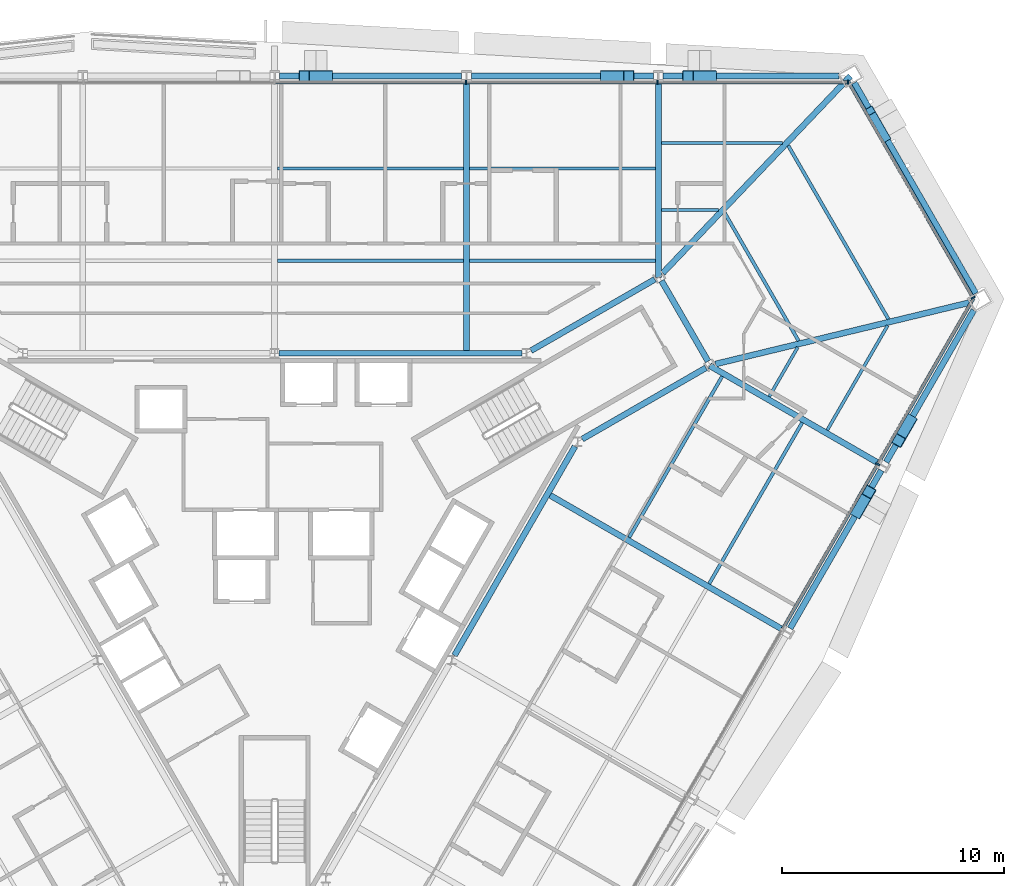
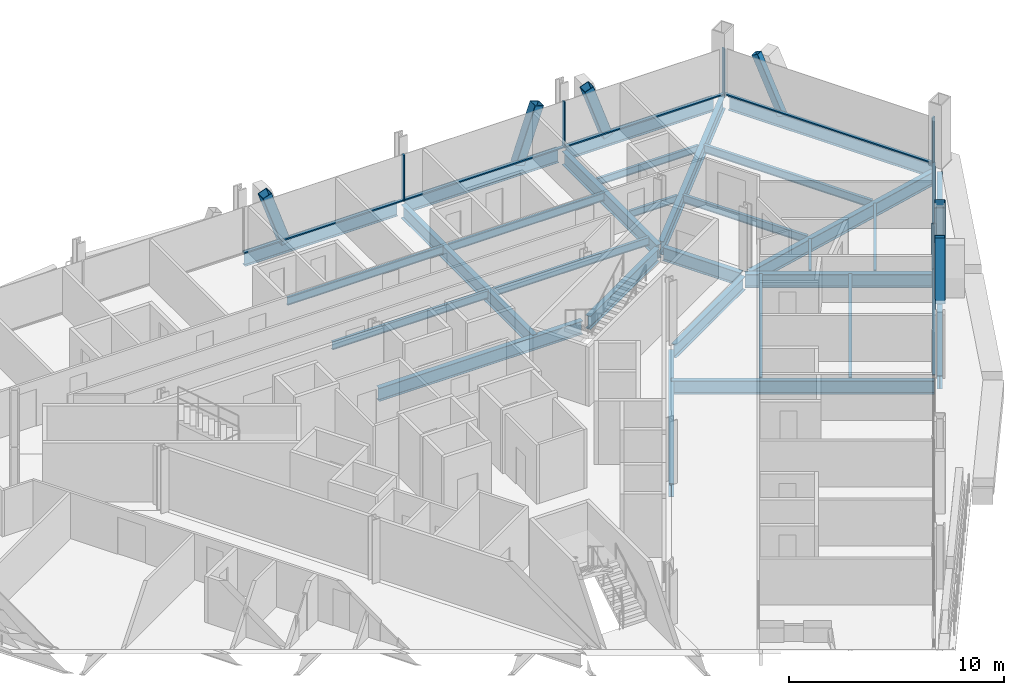
# One storey, part 9 of 18: 29 beams, 17 members, 3 elements without a shape of their own.
"""IFC4 building model written with IfcOpenShell, lengths in metres."""

import ifcopenshell
import ifcopenshell.guid

model = None  # the IFC model being written
_history = None  # IfcOwnerHistory: only IFC2X3 demands one
_inside = {}  # id of a spatial element -> (the spatial element, [elements in it])
_under = {}  # id of a project, library or spatial element -> (it, [spatial elements below it])
_declared = {}  # id of a project -> (the project, [libraries it declares])
_typed = {}  # id of a type object -> (the type object, [elements of that type])
_made_of = {}  # id of a material, layer set ... -> (it, [elements and type objects made of it])


def new_model(schema):
    """Start an empty IFC model of exactly this schema.

    Asked for "IFC4X3", IfcOpenShell would pick the latest addendum, in which some entities
    have other attributes; the version numbers below select the first issue.
    IFC2X3 requires an IfcOwnerHistory on every rooted entity: one is made here for all.
    """
    global model, _history
    if schema == "IFC4X3":
        model = ifcopenshell.file(schema_version=(4, 3, 0, 0))
    else:
        model = ifcopenshell.file(schema=schema)
    _inside.clear()
    _under.clear()
    _declared.clear()
    _typed.clear()
    _made_of.clear()
    _history = None
    if model.schema == "IFC2X3":
        org = make("IfcOrganization", Name="unknown")
        user = make(
            "IfcPersonAndOrganization",
            ThePerson=make("IfcPerson", FamilyName="unknown"),
            TheOrganization=org,
        )
        app = make(
            "IfcApplication",
            ApplicationDeveloper=org,
            Version="unknown",
            ApplicationFullName="unknown",
            ApplicationIdentifier="unknown",
        )
        _history = make(
            "IfcOwnerHistory",
            OwningUser=user,
            OwningApplication=app,
            ChangeAction="ADDED",
            CreationDate=0,
        )
    return model


def make(cls, **values):
    """One entity of the class cls with the attributes given. An attribute that is None is left unset."""
    return model.create_entity(
        cls, **{name: value for name, value in values.items() if value is not None}
    )


def rooted(cls, **values):
    """An entity with a GlobalId (a new one), such as an element, a storey or a relation."""
    return make(cls, GlobalId=ifcopenshell.guid.new(), OwnerHistory=_history, **values)


def si_unit(unit_type, name, prefix=None):
    """IfcSIUnit, for example si_unit("LENGTHUNIT", "METRE", prefix="MILLI")."""
    return make("IfcSIUnit", UnitType=unit_type, Prefix=prefix, Name=name)


def assignment(units):
    """IfcUnitAssignment: the units of a project."""
    return None if units is None else make("IfcUnitAssignment", Units=units)


def point(xyz):
    """IfcCartesianPoint."""
    return None if xyz is None else make("IfcCartesianPoint", Coordinates=xyz)


def direction(xyz):
    """IfcDirection."""
    return None if xyz is None else make("IfcDirection", DirectionRatios=xyz)


def frame(location, z_axis=None, x_axis=None):
    """IfcAxis2Placement3D, a coordinate frame: its origin and axes. An axis left out is left unset."""
    return make(
        "IfcAxis2Placement3D",
        Location=point(location),
        Axis=direction(z_axis),
        RefDirection=direction(x_axis),
    )


def frame_2d(location, x_axis=None):
    """IfcAxis2Placement2D, a coordinate frame in the plane: its origin and x axis."""
    return make(
        "IfcAxis2Placement2D", Location=point(location), RefDirection=direction(x_axis)
    )


def origin():
    """The frame at (0, 0, 0) with its axes left unset."""
    return frame((0.0, 0.0, 0.0))


def origin_2d():
    """The frame at (0, 0) in the plane with its x axis left unset."""
    return frame_2d((0.0, 0.0))


def place(relative_to, where):
    """IfcLocalPlacement: puts the frame where relative to a parent placement (None: the world)."""
    return make(
        "IfcLocalPlacement", PlacementRelTo=relative_to, RelativePlacement=where
    )


def context(
    kind, dimensions, precision=None, world=None, true_north=None, identifier=None
):
    """IfcGeometricRepresentationContext, for example the 3D "Model" context."""
    return make(
        "IfcGeometricRepresentationContext",
        ContextIdentifier=identifier,
        ContextType=kind,
        CoordinateSpaceDimension=dimensions,
        Precision=precision,
        WorldCoordinateSystem=world,
        TrueNorth=true_north,
    )


def subcontext(parent, identifier, kind, view, scale=None):
    """IfcGeometricRepresentationSubContext, for example "Body" below "Model"."""
    return make(
        "IfcGeometricRepresentationSubContext",
        ContextIdentifier=identifier,
        ContextType=kind,
        ParentContext=parent,
        TargetScale=scale,
        TargetView=view,
    )


def project(units=None, contexts=None):
    """IfcProject with its units and contexts."""
    return rooted(
        "IfcProject",
        Name="project",
        RepresentationContexts=contexts,
        UnitsInContext=assignment(units),
    )


def spatial(cls, under=None, at=None, **own):
    """A site, building, storey or space (cls), placed at a placement, below another one or the project."""
    s = rooted(cls, ObjectPlacement=at, **own)
    if under is not None:
        _under.setdefault(under.id(), (under, []))[1].append(s)
    return s


def profile(cls, at=None, kind="AREA", **sizes):
    """A parametric profile (cls). Its sizes go by their IFC names, for example OverallWidth=200.0."""
    return make(cls, ProfileType=kind, Position=at, **sizes)


def rectangle(**sizes):
    """IfcRectangleProfileDef."""
    return profile("IfcRectangleProfileDef", **sizes)


def hollow_rectangle(**sizes):
    """IfcRectangleHollowProfileDef."""
    return profile("IfcRectangleHollowProfileDef", **sizes)


def i_section(**sizes):
    """IfcIShapeProfileDef."""
    return profile("IfcIShapeProfileDef", **sizes)


def extrude(swept, where, along, depth):
    """IfcExtrudedAreaSolid: the profile swept, set in the frame where, extruded along a direction by depth."""
    return make(
        "IfcExtrudedAreaSolid",
        SweptArea=swept,
        Position=where,
        ExtrudedDirection=direction(along),
        Depth=depth,
    )


def shape(context_of_items, identifier, shape_type, items):
    """IfcShapeRepresentation: the items that make up one representation, for example the "Body"."""
    return make(
        "IfcShapeRepresentation",
        ContextOfItems=context_of_items,
        RepresentationIdentifier=identifier,
        RepresentationType=shape_type,
        Items=items,
    )


def material(Name=None, Category=None):
    """IfcMaterial."""
    return make("IfcMaterial", Name=Name, Category=Category)


def material_profile(
    of_material, cross_section, Name=None, Category=None, Priority=None
):
    """IfcMaterialProfile: a cross section and its material."""
    return make(
        "IfcMaterialProfile",
        Name=Name,
        Material=of_material,
        Profile=cross_section,
        Priority=Priority,
        Category=Category,
    )


def profile_set(profiles, Name=None, composite=None):
    """IfcMaterialProfileSet."""
    return make(
        "IfcMaterialProfileSet",
        Name=Name,
        MaterialProfiles=profiles,
        CompositeProfile=composite,
    )


def made_of(thing, what):
    """Note that an element or type object is made of a material, layer set ...; save() writes the relation."""
    if what is not None:
        _made_of.setdefault(what.id(), (what, []))[1].append(thing)
    return thing


def type_object(cls, material=None, **own):
    """A type object (cls), such as IfcWallType, which elements share."""
    return made_of(rooted(cls, **own), material)


def element(
    cls,
    number,
    at=None,
    inside=None,
    cuts=None,
    type_object=None,
    material=None,
    context=None,
    identifier="Body",
    shape_type=None,
    held_by="IfcProductDefinitionShape",
    body=None,
    shapes=None,
    **own,
):
    """One element of the class cls, such as IfcWall. Its Tag is "e" and its number.

    at: its placement. inside: the storey or other place that contains it. cuts: it is an
    opening in that element (IfcRelVoidsElement). A single representation is given by context,
    identifier, shape_type and body (its items); several are given by shapes. held_by: the class
    of the entity that holds the representations. save() writes the other relations.
    """
    e = rooted(cls, Tag="e%d" % number, ObjectPlacement=at, **own)
    if body is not None:
        shapes = [shape(context, identifier, shape_type, body)]
    if shapes is not None:
        e.Representation = make(held_by, Representations=shapes)
    if inside is not None:
        _inside.setdefault(inside.id(), (inside, []))[1].append(e)
    if cuts is not None:
        rooted(
            "IfcRelVoidsElement", RelatingBuildingElement=cuts, RelatedOpeningElement=e
        )
    if type_object is not None:
        _typed.setdefault(type_object.id(), (type_object, []))[1].append(e)
    return made_of(e, material)


def aggregate(whole, parts):
    """IfcRelAggregates: a whole, such as a stair, and the parts it consists of."""
    return rooted("IfcRelAggregates", RelatingObject=whole, RelatedObjects=parts)


def save(model, path):
    """Write the relations noted so far, then the file.

    IfcRelAggregates (storeys below a building ...), IfcRelContainedInSpatialStructure (elements
    in a storey), IfcRelDefinesByType, IfcRelAssociatesMaterial and IfcRelDeclares: one each for
    every whole, place, type object, material and project.
    """
    for whole, parts in _under.values():
        aggregate(whole, parts)
    for where, things in _inside.values():
        rooted(
            "IfcRelContainedInSpatialStructure",
            RelatedElements=things,
            RelatingStructure=where,
        )
    for kind, things in _typed.values():
        rooted("IfcRelDefinesByType", RelatedObjects=things, RelatingType=kind)
    for what, things in _made_of.values():
        rooted("IfcRelAssociatesMaterial", RelatedObjects=things, RelatingMaterial=what)
    for by, libraries in _declared.values():
        rooted("IfcRelDeclares", RelatingContext=by, RelatedDefinitions=libraries)
    model.write(path)


model = new_model("IFC4")

# Units and contexts
model_context = context("Model", 3, precision=1e-05, world=origin(), true_north=direction((0.0, 1.0)))
body_context = subcontext(model_context, "Body", "Model", "MODEL_VIEW")
ifc_project = project(units=[si_unit("LENGTHUNIT", "METRE"), si_unit("AREAUNIT", "SQUARE_METRE"), si_unit("VOLUMEUNIT", "CUBIC_METRE"), si_unit("PLANEANGLEUNIT", "RADIAN"), si_unit("MASSUNIT", "GRAM", prefix="KILO")], contexts=[model_context])

# Site, building, storey
site_placement = place(None, origin())
site = spatial("IfcSite", under=ifc_project, at=site_placement, CompositionType="ELEMENT")
building_placement = place(site_placement, origin())
building = spatial("IfcBuilding", under=site, at=building_placement, Name="Verrane Prism Tower", CompositionType="ELEMENT")
storey_placement = place(building_placement, frame((0.0, 0.0, 80.0)))
storey = spatial("IfcBuildingStorey", under=building, at=storey_placement, Name="L18", CompositionType="ELEMENT", Elevation=80.0)

# Member
ifc_material_1 = material(Name="Steel A500 Grade C", Category="steel")
ifc_material_profile_1 = material_profile(ifc_material_1, hollow_rectangle(XDim=0.355712890625, YDim=0.355712890625, WallThickness=0.0126953125, InnerFilletRadius=0.00634765625, OuterFilletRadius=0.01904296875, at=origin_2d()), Name="HSS14x14x1/2")
ifc_profile_set_1 = profile_set([ifc_material_profile_1], Name="Steel A500 Grade C")
member_type_1 = type_object("IfcMemberType", Name="Chamfer brace HSS14x14x1/2", PredefinedType="BRACE", material=ifc_profile_set_1)
member_1_placement = place(storey_placement, frame((27.4912109375, 18.909423828125, -0.2451171875), z_axis=(-0.209320899333, 0.363137808433, 0.907918329581), x_axis=(-0.866373148104, -0.499397204883, 0.0)))
element("IfcMember", 1, at=member_1_placement, inside=storey, type_object=member_type_1, Name="Chamfer brace NE0 L18", PredefinedType="BRACE", context=body_context, shape_type="SweptSolid", body=[
    extrude(hollow_rectangle(XDim=0.355712890625, YDim=0.355712890625, WallThickness=0.0126953125, InnerFilletRadius=0.00634765625, OuterFilletRadius=0.01904296875, at=origin_2d()), origin(), (0.0, 0.0, 1.0), 3.307861328125),
])

# Beams
ifc_material_2 = material(Name="Steel A992", Category="steel")
ifc_material_profile_2 = material_profile(ifc_material_2, i_section(OverallWidth=0.2666015625, OverallDepth=0.76708984375, WebThickness=0.014892578125, FlangeThickness=0.023681640625, FilletRadius=0.0166015625, at=origin_2d()), Name="W30x124")
ifc_profile_set_2 = profile_set([ifc_material_profile_2], Name="Steel A992")
beam_type_1 = type_object("IfcBeamType", Name="Chamfer spandrel beam W30x124", PredefinedType="SPANDREL", material=ifc_profile_set_2)
beam_1_placement = place(storey_placement, frame((31.53515625, 11.893310546875, -0.54345703125), z_axis=(-0.499381576475, 0.866382156486, 0.0), x_axis=(-0.866382156486, -0.499381576475, 0.0)))
element("IfcBeam", 2, at=beam_1_placement, inside=storey, type_object=beam_type_1, Name="Chamfer spandrel beam L18", PredefinedType="SPANDREL", context=body_context, shape_type="SweptSolid", body=[
    extrude(i_section(OverallWidth=0.2666015625, OverallDepth=0.76708984375, WebThickness=0.014892578125, FlangeThickness=0.023681640625, FilletRadius=0.0166015625, at=origin_2d()), origin(), (0.0, 0.0, 1.0), 10.934326171875),
])
ifc_material_3 = material(Name="Steel A992", Category="steel")
ifc_material_profile_3 = material_profile(ifc_material_3, i_section(OverallWidth=0.2666015625, OverallDepth=0.7568359375, WebThickness=0.013916015625, FlangeThickness=0.019287109375, FilletRadius=0.0166015625, at=origin_2d()), Name="W30x108")
ifc_profile_set_3 = profile_set([ifc_material_profile_3], Name="Steel A992")
beam_type_2 = type_object("IfcBeamType", Name="Core ring girder W30x108", PredefinedType="BEAM", material=ifc_profile_set_3)
beam_2_placement = place(storey_placement, frame((13.833251953125, 5.337158203125, -0.62841796875), z_axis=(0.86646365882, 0.499240150574, 0.0), x_axis=(-0.499240150574, 0.86646365882, 0.0)))
element("IfcBeam", 3, at=beam_2_placement, inside=storey, type_object=beam_type_2, Name="Core ring girder L18", PredefinedType="BEAM", context=body_context, shape_type="SweptSolid", body=[
    extrude(i_section(OverallWidth=0.2666015625, OverallDepth=0.7568359375, WebThickness=0.013916015625, FlangeThickness=0.019287109375, FilletRadius=0.0166015625, at=origin_2d()), origin(), (0.0, 0.0, 1.0), 6.42822265625),
])
beam_3_placement = place(storey_placement, frame((19.4951171875, 8.84130859375, -0.62841796875), z_axis=(-0.500349643494, 0.865823442888, 0.0), x_axis=(-0.865823442888, -0.500349643494, 0.0)))
element("IfcBeam", 4, at=beam_3_placement, inside=storey, type_object=beam_type_2, Name="Core ring girder L18", PredefinedType="BEAM", context=body_context, shape_type="SweptSolid", body=[
    extrude(i_section(OverallWidth=0.2666015625, OverallDepth=0.7568359375, WebThickness=0.013916015625, FlangeThickness=0.019287109375, FilletRadius=0.0166015625, at=origin_2d()), origin(), (0.0, 0.0, 1.0), 4.177734375),
])
beam_4_placement = place(storey_placement, frame((17.10302734375, 12.526611328125, -0.62841796875), z_axis=(-0.866447229751, -0.499268663203, 0.0), x_axis=(0.499268663203, -0.866447229751, 0.0)))
element("IfcBeam", 5, at=beam_4_placement, inside=storey, type_object=beam_type_2, Name="Core ring girder L18", PredefinedType="BEAM", context=body_context, shape_type="SweptSolid", body=[
    extrude(i_section(OverallWidth=0.2666015625, OverallDepth=0.7568359375, WebThickness=0.013916015625, FlangeThickness=0.019287109375, FilletRadius=0.0166015625, at=origin_2d()), origin(), (0.0, 0.0, 1.0), 6.428466796875),
])
beam_5_placement = place(storey_placement, frame((11.126708984375, 9.199951171875, -0.62841796875), z_axis=(-1.0, 0.0, 0.0), x_axis=(0.0, -1.0, 0.0)))
element("IfcBeam", 6, at=beam_5_placement, inside=storey, type_object=beam_type_2, Name="Core ring girder L18", PredefinedType="BEAM", context=body_context, shape_type="SweptSolid", body=[
    extrude(i_section(OverallWidth=0.2666015625, OverallDepth=0.7568359375, WebThickness=0.013916015625, FlangeThickness=0.019287109375, FilletRadius=0.0166015625, at=origin_2d()), origin(), (0.0, 0.0, 1.0), 10.923583984375),
])
beam_6_placement = place(storey_placement, frame((8.090087890625, -4.3916015625, -0.62841796875), z_axis=(0.499371892062, 0.866387738498, 0.0), x_axis=(-0.866387738498, 0.499371892062, 0.0)))
element("IfcBeam", 7, at=beam_6_placement, inside=storey, type_object=beam_type_2, Name="Core ring girder L18", PredefinedType="BEAM", context=body_context, shape_type="SweptSolid", body=[
    extrude(i_section(OverallWidth=0.2666015625, OverallDepth=0.7568359375, WebThickness=0.013916015625, FlangeThickness=0.019287109375, FilletRadius=0.0166015625, at=origin_2d()), origin(), (0.0, 0.0, 1.0), 10.853515625),
])
ifc_material_4 = material(Name="Steel A992", Category="steel")
ifc_material_profile_4 = material_profile(ifc_material_4, i_section(OverallWidth=0.2666015625, OverallDepth=0.76708984375, WebThickness=0.014892578125, FlangeThickness=0.023681640625, FilletRadius=0.0166015625, at=origin_2d()), Name="W30x124")
ifc_profile_set_4 = profile_set([ifc_material_profile_4], Name="Steel A992")
beam_type_3 = type_object("IfcBeamType", Name="Corner girder W30x124", PredefinedType="BEAM", material=ifc_profile_set_4)
beam_7_placement = place(storey_placement, frame((31.254150390625, 11.479736328125, -0.603515625), z_axis=(-0.9719570894, -0.235158279388, 0.0), x_axis=(0.235158279388, -0.9719570894, 0.0)))
element("IfcBeam", 8, at=beam_7_placement, inside=storey, type_object=beam_type_3, Name="Corner girder L18", PredefinedType="BEAM", context=body_context, shape_type="SweptSolid", body=[
    extrude(i_section(OverallWidth=0.2666015625, OverallDepth=0.76708984375, WebThickness=0.014892578125, FlangeThickness=0.023681640625, FilletRadius=0.0166015625, at=origin_2d()), origin(), (0.0, 0.0, 1.0), 11.75341796875),
])
beam_8_placement = place(storey_placement, frame((25.897216796875, 21.6669921875, -0.603515625), z_axis=(-0.689657664947, -0.724135557185, 0.0), x_axis=(0.724135557185, -0.689657664947, 0.0)))
element("IfcBeam", 9, at=beam_8_placement, inside=storey, type_object=beam_type_3, Name="Corner girder L18", PredefinedType="BEAM", context=body_context, shape_type="SweptSolid", body=[
    extrude(i_section(OverallWidth=0.2666015625, OverallDepth=0.76708984375, WebThickness=0.014892578125, FlangeThickness=0.023681640625, FilletRadius=0.0166015625, at=origin_2d()), origin(), (0.0, 0.0, 1.0), 12.22900390625),
])

# Members
ifc_material_5 = material(Name="Steel A1085 Grade A", Category="steel")
ifc_material_profile_5 = material_profile(ifc_material_5, hollow_rectangle(XDim=0.508056640625, YDim=0.508056640625, WallThickness=0.025390625, InnerFilletRadius=0.0126953125, OuterFilletRadius=0.0380859375, at=origin_2d()), Name="HSS20x20x1")
ifc_profile_set_5 = profile_set([ifc_material_profile_5], Name="Steel A1085 Grade A")
member_type_2 = type_object("IfcMemberType", Name="Facade brace HSS20x20x1", PredefinedType="BRACE", material=ifc_profile_set_5)
member_2_placement = place(storey_placement, frame((19.627197265625, 21.669921875, -0.24267578125), z_axis=(-0.324345913562, 0.0, 0.945938543646), x_axis=(0.0, -1.0, 0.0)))
element("IfcMember", 10, at=member_2_placement, inside=storey, type_object=member_type_2, Name="Facade brace N0 L18", PredefinedType="BRACE", context=body_context, shape_type="SweptSolid", body=[
    extrude(hollow_rectangle(XDim=0.508056640625, YDim=0.508056640625, WallThickness=0.025390625, InnerFilletRadius=0.0126953125, OuterFilletRadius=0.0380859375, at=origin_2d()), origin(), (0.0, 0.0, 1.0), 3.18017578125),
])
for number, where, z_axis, x_axis, name in (
    (11, (14.8955078125, 21.669921875, -0.24267578125), (0.324002388327, 0.0, 0.946056262787), (0.0, 1.0, 0.0), "Facade brace N1 L18"),
    (12, (2.364501953125, 21.669921875, -0.24267578125), (-0.324002388327, 0.0, 0.946056262787), (0.0, -1.0, 0.0), "Facade brace N2 L18"),
):
    element("IfcMember", number, at=place(storey_placement, frame(where, z_axis=z_axis, x_axis=x_axis)), inside=storey, type_object=member_type_2, Name=name, PredefinedType="BRACE", context=body_context, shape_type="SweptSolid", body=[
        extrude(hollow_rectangle(XDim=0.508056640625, YDim=0.508056640625, WallThickness=0.025390625, InnerFilletRadius=0.0126953125, OuterFilletRadius=0.0380859375, at=origin_2d()), origin(), (0.0, 0.0, 1.0), 3.179931640625),
    ])
member_3_placement = place(storey_placement, frame((26.21630859375, 2.07080078125, -0.24267578125), z_axis=(0.162217175995, 0.28075163872, 0.945972571044), x_axis=(-0.86585823575, 0.500289431813, 0.0)))
element("IfcMember", 13, at=member_3_placement, inside=storey, type_object=member_type_2, Name="Facade brace SE4 L18", PredefinedType="BRACE", context=body_context, shape_type="SweptSolid", body=[
    extrude(hollow_rectangle(XDim=0.508056640625, YDim=0.508056640625, WallThickness=0.025390625, InnerFilletRadius=0.0126953125, OuterFilletRadius=0.0380859375, at=origin_2d()), origin(), (0.0, 0.0, 1.0), 3.18017578125),
])
member_4_placement = place(storey_placement, frame((28.580810546875, 6.16650390625, -0.24267578125), z_axis=(-0.161786047695, -0.280418911334, 0.946145078166), x_axis=(0.866177688749, -0.499736141893, 0.0)))
element("IfcMember", 14, at=member_4_placement, inside=storey, type_object=member_type_2, Name="Facade brace SE5 L18", PredefinedType="BRACE", context=body_context, shape_type="SweptSolid", body=[
    extrude(hollow_rectangle(XDim=0.508056640625, YDim=0.508056640625, WallThickness=0.025390625, InnerFilletRadius=0.0126953125, OuterFilletRadius=0.0380859375, at=origin_2d()), origin(), (0.0, 0.0, 1.0), 3.179443359375),
])

# Beams
ifc_material_6 = material(Name="Steel A992", Category="steel")
ifc_material_profile_6 = material_profile(ifc_material_6, i_section(OverallWidth=0.140380859375, OverallDepth=0.40380859375, WebThickness=0.007080078125, FlangeThickness=0.01123046875, FilletRadius=0.01025390625, at=origin_2d()), Name="W16x31")
ifc_profile_set_6 = profile_set([ifc_material_profile_6], Name="Steel A992")
beam_type_4 = type_object("IfcBeamType", Name="Floor beam W16x31", PredefinedType="BEAM", material=ifc_profile_set_6)
beam_9_placement = place(storey_placement, frame((17.3935546875, 15.63671875, -0.36181640625), z_axis=(1.0, 0.0, 0.0), x_axis=(0.0, 1.0, 0.0)))
element("IfcBeam", 15, at=beam_9_placement, inside=storey, type_object=beam_type_4, Name="Floor beam L18", PredefinedType="BEAM", context=body_context, shape_type="SweptSolid", body=[
    extrude(i_section(OverallWidth=0.140380859375, OverallDepth=0.40380859375, WebThickness=0.007080078125, FlangeThickness=0.01123046875, FilletRadius=0.01025390625, at=origin_2d()), origin(), (0.0, 0.0, 1.0), 2.575927734375),
])
beam_10_placement = place(storey_placement, frame((17.3935546875, 18.6533203125, -0.36181640625), z_axis=(1.0, 0.0, 0.0), x_axis=(0.0, 1.0, 0.0)))
element("IfcBeam", 16, at=beam_10_placement, inside=storey, type_object=beam_type_4, Name="Floor beam L18", PredefinedType="BEAM", context=body_context, shape_type="SweptSolid", body=[
    extrude(i_section(OverallWidth=0.140380859375, OverallDepth=0.40380859375, WebThickness=0.007080078125, FlangeThickness=0.01123046875, FilletRadius=0.01025390625, at=origin_2d()), origin(), (0.0, 0.0, 1.0), 5.448974609375),
])
beam_11_placement = place(storey_placement, frame((24.856689453125, 5.7421875, -0.36181640625), z_axis=(0.500006102154, 0.866021880676, 0.0), x_axis=(-0.866021880676, 0.500006102154, 0.0)))
element("IfcBeam", 17, at=beam_11_placement, inside=storey, type_object=beam_type_4, Name="Floor beam L18", PredefinedType="BEAM", context=body_context, shape_type="SweptSolid", body=[
    extrude(i_section(OverallWidth=0.140380859375, OverallDepth=0.40380859375, WebThickness=0.007080078125, FlangeThickness=0.01123046875, FilletRadius=0.01025390625, at=origin_2d()), origin(), (0.0, 0.0, 1.0), 5.43896484375),
])
beam_12_placement = place(storey_placement, frame((22.246826171875, 7.248779296875, -0.36181640625), z_axis=(0.499930841935, 0.86606532853, 0.0), x_axis=(-0.86606532853, 0.499930841935, 0.0)))
element("IfcBeam", 18, at=beam_12_placement, inside=storey, type_object=beam_type_4, Name="Floor beam L18", PredefinedType="BEAM", context=body_context, shape_type="SweptSolid", body=[
    extrude(i_section(OverallWidth=0.140380859375, OverallDepth=0.40380859375, WebThickness=0.007080078125, FlangeThickness=0.01123046875, FilletRadius=0.01025390625, at=origin_2d()), origin(), (0.0, 0.0, 1.0), 2.569091796875),
])
ifc_material_7 = material(Name="Steel A992", Category="steel")
ifc_material_profile_7 = material_profile(ifc_material_7, i_section(OverallWidth=0.15234375, OverallDepth=0.449462890625, WebThickness=0.007568359375, FlangeThickness=0.0107421875, FilletRadius=0.01025390625, at=origin_2d()), Name="W18x35")
ifc_profile_set_7 = profile_set([ifc_material_profile_7], Name="Steel A992")
beam_type_5 = type_object("IfcBeamType", Name="Floor beam W18x35", PredefinedType="BEAM", material=ifc_profile_set_7)
for number, where, z_axis, x_axis, name in (
    (19, (8.763427734375, 13.356689453125, -0.384765625), (1.0, 0.0, 0.0), (0.0, 1.0, 0.0), "Floor beam L18"),
    (20, (8.763427734375, 17.51318359375, -0.384765625), (1.0, 0.0, 0.0), (0.0, 1.0, 0.0), "Floor beam L18"),
    (21, (0.133544921875, 13.356689453125, -0.384765625), (1.0, 0.0, 0.0), (0.0, 1.0, 0.0), "Floor beam L18"),
    (22, (0.133544921875, 17.51318359375, -0.384765625), (1.0, 0.0, 0.0), (0.0, 1.0, 0.0), "Floor beam L18"),
):
    element("IfcBeam", number, at=place(storey_placement, frame(where, z_axis=z_axis, x_axis=x_axis)), inside=storey, type_object=beam_type_5, Name=name, PredefinedType="BEAM", context=body_context, shape_type="SweptSolid", body=[
        extrude(i_section(OverallWidth=0.15234375, OverallDepth=0.449462890625, WebThickness=0.007568359375, FlangeThickness=0.0107421875, FilletRadius=0.01025390625, at=origin_2d()), origin(), (0.0, 0.0, 1.0), 8.363037109375),
    ])
beam_13_placement = place(storey_placement, frame((19.547119140625, -1.164794921875, -0.384765625), z_axis=(0.499979169146, 0.86603743015, 0.0), x_axis=(-0.86603743015, 0.499979169146, 0.0)))
element("IfcBeam", 23, at=beam_13_placement, inside=storey, type_object=beam_type_5, Name="Floor beam L18", PredefinedType="BEAM", context=body_context, shape_type="SweptSolid", body=[
    extrude(i_section(OverallWidth=0.15234375, OverallDepth=0.449462890625, WebThickness=0.007568359375, FlangeThickness=0.0107421875, FilletRadius=0.01025390625, at=origin_2d()), origin(), (0.0, 0.0, 1.0), 8.369384765625),
])
beam_14_placement = place(storey_placement, frame((15.946533203125, 0.915771484375, -0.384765625), z_axis=(0.500001954328, 0.866024275449, 0.0), x_axis=(-0.866024275449, 0.500001954328, 0.0)))
element("IfcBeam", 24, at=beam_14_placement, inside=storey, type_object=beam_type_5, Name="Floor beam L18", PredefinedType="BEAM", context=body_context, shape_type="SweptSolid", body=[
    extrude(i_section(OverallWidth=0.15234375, OverallDepth=0.449462890625, WebThickness=0.007568359375, FlangeThickness=0.0107421875, FilletRadius=0.01025390625, at=origin_2d()), origin(), (0.0, 0.0, 1.0), 8.36767578125),
])
beam_15_placement = place(storey_placement, frame((27.60888671875, 10.735107421875, -0.384765625), z_axis=(-0.500017147334, 0.86601550354, 0.0), x_axis=(-0.86601550354, -0.500017147334, 0.0)))
element("IfcBeam", 25, at=beam_15_placement, inside=storey, type_object=beam_type_5, Name="Floor beam L18", PredefinedType="BEAM", context=body_context, shape_type="SweptSolid", body=[
    extrude(i_section(OverallWidth=0.15234375, OverallDepth=0.449462890625, WebThickness=0.007568359375, FlangeThickness=0.0107421875, FilletRadius=0.01025390625, at=origin_2d()), origin(), (0.0, 0.0, 1.0), 9.011962890625),
])
beam_16_placement = place(storey_placement, frame((23.568603515625, 9.757568359375, -0.384765625), z_axis=(-0.500007828009, 0.866020884234, 0.0), x_axis=(-0.866020884234, -0.500007828009, 0.0)))
element("IfcBeam", 26, at=beam_16_placement, inside=storey, type_object=beam_type_5, Name="Floor beam L18", PredefinedType="BEAM", context=body_context, shape_type="SweptSolid", body=[
    extrude(i_section(OverallWidth=0.15234375, OverallDepth=0.449462890625, WebThickness=0.007568359375, FlangeThickness=0.0107421875, FilletRadius=0.01025390625, at=origin_2d()), origin(), (0.0, 0.0, 1.0), 6.6650390625),
])

# Curtain wall, member
ifc_material_8 = material(Name="Aluminium framed insulated glazing", Category="aluminium")
curtain_wall_type = type_object("IfcCurtainWallType", Name="Curtain wall CW-A 8400 module", PredefinedType="NOTDEFINED", material=ifc_material_8)
curtain_wall_1_placement = place(storey_placement, origin())
curtain_wall_1 = element("IfcCurtainWall", 27, at=curtain_wall_1_placement, inside=storey, type_object=curtain_wall_type, Name="Glazed curtain wall north-east corner L18", PredefinedType="NOTDEFINED")
ifc_material_9 = material(Name="Aluminium alloy 6063-T6", Category="aluminium")
ifc_material_profile_8 = material_profile(ifc_material_9, rectangle(XDim=0.199951171875, YDim=0.070068359375, at=origin_2d()), Name="Mullion 70x200 aluminium")
ifc_profile_set_8 = profile_set([ifc_material_profile_8], Name="Aluminium alloy 6063-T6")
member_type_3 = type_object("IfcMemberType", Name="Mullion 70x200 aluminium", PredefinedType="MULLION", material=ifc_profile_set_8)
member_5_placement = place(storey_placement, frame((31.418701171875, 11.69775390625, 0.0), z_axis=(0.0, 0.0, 1.0), x_axis=(-0.866026293788, -0.499998458466, 0.0)))
member_5 = element("IfcMember", 28, at=member_5_placement, type_object=member_type_3, Name="CW17.1 mullion 1", PredefinedType="MULLION", context=body_context, shape_type="SweptSolid", body=[
    extrude(rectangle(XDim=0.199951171875, YDim=0.070068359375, at=origin_2d()), origin(), (0.0, 0.0, 1.0), 2.61279296875),
])

# Curtain wall, members
curtain_wall_2_placement = place(storey_placement, origin())
curtain_wall_2 = element("IfcCurtainWall", 29, at=curtain_wall_2_placement, inside=storey, type_object=curtain_wall_type, Name="Glazed curtain wall north face L18", PredefinedType="NOTDEFINED")
member_6_placement = place(storey_placement, frame((25.787353515625, 21.39111328125, 0.0), z_axis=(0.0, 0.0, 1.0), x_axis=(0.0, -1.0, 0.0)))
member_6 = element("IfcMember", 30, at=member_6_placement, type_object=member_type_3, Name="CW17.2 mullion 1", PredefinedType="MULLION", context=body_context, shape_type="SweptSolid", body=[
    extrude(rectangle(XDim=0.199951171875, YDim=0.070068359375, at=origin_2d()), origin(), (0.0, 0.0, 1.0), 2.61279296875),
])
member_7_placement = place(storey_placement, frame((17.21484375, 21.39111328125, 0.0), z_axis=(0.0, 0.0, 1.0), x_axis=(0.0, -1.0, 0.0)))
member_7 = element("IfcMember", 31, at=member_7_placement, type_object=member_type_3, Name="CW17.2 mullion 2", PredefinedType="MULLION", context=body_context, shape_type="SweptSolid", body=[
    extrude(rectangle(XDim=0.199951171875, YDim=0.070068359375, at=origin_2d()), origin(), (0.0, 0.0, 1.0), 2.61279296875),
])
member_8_placement = place(storey_placement, frame((8.607421875, 21.39111328125, 0.0), z_axis=(0.0, 0.0, 1.0), x_axis=(0.0, -1.0, 0.0)))
member_8 = element("IfcMember", 32, at=member_8_placement, type_object=member_type_3, Name="CW17.2 mullion 3", PredefinedType="MULLION", context=body_context, shape_type="SweptSolid", body=[
    extrude(rectangle(XDim=0.199951171875, YDim=0.070068359375, at=origin_2d()), origin(), (0.0, 0.0, 1.0), 2.61279296875),
])

# Curtain wall, member
curtain_wall_3_placement = place(storey_placement, origin())
curtain_wall_3 = element("IfcCurtainWall", 33, at=curtain_wall_3_placement, inside=storey, type_object=curtain_wall_type, Name="Glazed curtain wall south-east face L18", PredefinedType="NOTDEFINED")
member_9_placement = place(storey_placement, frame((27.132568359375, 4.213134765625, 0.0), z_axis=(0.0, 0.0, 1.0), x_axis=(-0.866025845387, 0.499999235121, 0.0)))
member_9 = element("IfcMember", 34, at=member_9_placement, type_object=member_type_3, Name="CW17.6 mullion 6", PredefinedType="MULLION", context=body_context, shape_type="SweptSolid", body=[
    extrude(rectangle(XDim=0.199951171875, YDim=0.070068359375, at=origin_2d()), origin(), (0.0, 0.0, 1.0), 2.61279296875),
])

# Beams
ifc_material_10 = material(Name="Steel A992", Category="steel")
ifc_material_profile_9 = material_profile(ifc_material_10, i_section(OverallWidth=0.2666015625, OverallDepth=0.76708984375, WebThickness=0.014892578125, FlangeThickness=0.023681640625, FilletRadius=0.0166015625, at=origin_2d()), Name="W30x124")
ifc_profile_set_9 = profile_set([ifc_material_profile_9], Name="Steel A992")
beam_type_6 = type_object("IfcBeamType", Name="Radial girder W30x124", PredefinedType="BEAM", material=ifc_profile_set_9)
beam_17_placement = place(storey_placement, frame((17.260009765625, 21.421142578125, -0.603515625), z_axis=(0.0, -1.0, 0.0), x_axis=(1.0, 0.0, 0.0)))
element("IfcBeam", 35, at=beam_17_placement, inside=storey, type_object=beam_type_6, Name="Radial girder L18", PredefinedType="BEAM", context=body_context, shape_type="SweptSolid", body=[
    extrude(i_section(OverallWidth=0.2666015625, OverallDepth=0.76708984375, WebThickness=0.014892578125, FlangeThickness=0.023681640625, FilletRadius=0.0166015625, at=origin_2d()), origin(), (0.0, 0.0, 1.0), 8.80419921875),
])
beam_18_placement = place(storey_placement, frame((8.6298828125, 21.421142578125, -0.603515625), z_axis=(0.0, -1.0, 0.0), x_axis=(1.0, 0.0, 0.0)))
element("IfcBeam", 36, at=beam_18_placement, inside=storey, type_object=beam_type_6, Name="Radial girder L18", PredefinedType="BEAM", context=body_context, shape_type="SweptSolid", body=[
    extrude(i_section(OverallWidth=0.2666015625, OverallDepth=0.76708984375, WebThickness=0.014892578125, FlangeThickness=0.023681640625, FilletRadius=0.0166015625, at=origin_2d()), origin(), (0.0, 0.0, 1.0), 12.22119140625),
])
beam_19_placement = place(storey_placement, frame((22.864501953125, -3.235595703125, -0.603515625), z_axis=(-0.866023267252, 0.500003700565, 0.0), x_axis=(-0.500003700565, -0.866023267252, 0.0)))
element("IfcBeam", 37, at=beam_19_placement, inside=storey, type_object=beam_type_6, Name="Radial girder L18", PredefinedType="BEAM", context=body_context, shape_type="SweptSolid", body=[
    extrude(i_section(OverallWidth=0.2666015625, OverallDepth=0.76708984375, WebThickness=0.014892578125, FlangeThickness=0.023681640625, FilletRadius=0.0166015625, at=origin_2d()), origin(), (0.0, 0.0, 1.0), 12.22314453125),
])
beam_20_placement = place(storey_placement, frame((27.184326171875, 4.244384765625, -0.603515625), z_axis=(-0.866025632151, 0.499999604458, 0.0), x_axis=(-0.499999604458, -0.866025632151, 0.0)))
element("IfcBeam", 38, at=beam_20_placement, inside=storey, type_object=beam_type_6, Name="Radial girder L18", PredefinedType="BEAM", context=body_context, shape_type="SweptSolid", body=[
    extrude(i_section(OverallWidth=0.2666015625, OverallDepth=0.76708984375, WebThickness=0.014892578125, FlangeThickness=0.023681640625, FilletRadius=0.0166015625, at=origin_2d()), origin(), (0.0, 0.0, 1.0), 8.79443359375),
])
ifc_material_11 = material(Name="Steel A992", Category="steel")
ifc_material_profile_10 = material_profile(ifc_material_11, i_section(OverallWidth=0.2666015625, OverallDepth=0.7568359375, WebThickness=0.013916015625, FlangeThickness=0.019287109375, FilletRadius=0.0166015625, at=origin_2d()), Name="W30x108")
ifc_profile_set_10 = profile_set([ifc_material_profile_10], Name="Steel A992")
beam_type_7 = type_object("IfcBeamType", Name="Spandrel beam W30x108", PredefinedType="SPANDREL", material=ifc_profile_set_10)
beam_21_placement = place(storey_placement, frame((25.38037109375, 21.669921875, -0.53857421875), z_axis=(-1.0, 0.0, 0.0), x_axis=(0.0, -1.0, 0.0)))
element("IfcBeam", 39, at=beam_21_placement, inside=storey, type_object=beam_type_7, Name="Spandrel beam L18", PredefinedType="SPANDREL", context=body_context, shape_type="SweptSolid", body=[
    extrude(i_section(OverallWidth=0.2666015625, OverallDepth=0.7568359375, WebThickness=0.013916015625, FlangeThickness=0.019287109375, FilletRadius=0.0166015625, at=origin_2d()), origin(), (0.0, 0.0, 1.0), 7.904541015625),
])
for number, where, z_axis, x_axis, name in (
    (40, (17.044189453125, 21.669921875, -0.53857421875), (-1.0, 0.0, 0.0), (0.0, -1.0, 0.0), "Spandrel beam L18"),
    (41, (8.4140625, 21.669921875, -0.53857421875), (-1.0, 0.0, 0.0), (0.0, -1.0, 0.0), "Spandrel beam L18"),
):
    element("IfcBeam", number, at=place(storey_placement, frame(where, z_axis=z_axis, x_axis=x_axis)), inside=storey, type_object=beam_type_7, Name=name, PredefinedType="SPANDREL", context=body_context, shape_type="SweptSolid", body=[
        extrude(i_section(OverallWidth=0.2666015625, OverallDepth=0.7568359375, WebThickness=0.013916015625, FlangeThickness=0.019287109375, FilletRadius=0.0166015625, at=origin_2d()), origin(), (0.0, 0.0, 1.0), 8.1982421875),
    ])
beam_22_placement = place(storey_placement, frame((23.18798828125, -3.173095703125, -0.53857421875), z_axis=(0.50011302801, 0.865960137197, 0.0), x_axis=(-0.865960137197, 0.50011302801, 0.0)))
element("IfcBeam", 42, at=beam_22_placement, inside=storey, type_object=beam_type_7, Name="Spandrel beam L18", PredefinedType="SPANDREL", context=body_context, shape_type="SweptSolid", body=[
    extrude(i_section(OverallWidth=0.2666015625, OverallDepth=0.7568359375, WebThickness=0.013916015625, FlangeThickness=0.019287109375, FilletRadius=0.0166015625, at=origin_2d()), origin(), (0.0, 0.0, 1.0), 8.2060546875),
])
beam_23_placement = place(storey_placement, frame((27.5078125, 4.306884765625, -0.53857421875), z_axis=(0.499747458948, 0.866171159341, 0.0), x_axis=(-0.866171159341, 0.499747458948, 0.0)))
element("IfcBeam", 43, at=beam_23_placement, inside=storey, type_object=beam_type_7, Name="Spandrel beam L18", PredefinedType="SPANDREL", context=body_context, shape_type="SweptSolid", body=[
    extrude(i_section(OverallWidth=0.2666015625, OverallDepth=0.7568359375, WebThickness=0.013916015625, FlangeThickness=0.019287109375, FilletRadius=0.0166015625, at=origin_2d()), origin(), (0.0, 0.0, 1.0), 7.888671875),
])

# Member
ifc_material_12 = material(Name="Aluminium alloy 6063-T6", Category="aluminium")
ifc_material_profile_11 = material_profile(ifc_material_12, rectangle(XDim=0.14990234375, YDim=0.070068359375, at=origin_2d()), Name="Transom 70x150 aluminium")
ifc_profile_set_11 = profile_set([ifc_material_profile_11], Name="Aluminium alloy 6063-T6")
member_type_4 = type_object("IfcMemberType", Name="Transom 70x150 aluminium", PredefinedType="USERDEFINED", material=ifc_profile_set_11)
member_10_placement = place(storey_placement, frame((31.4013671875, 11.72802734375, 0.034912109375), z_axis=(-0.499991406607, 0.866030365126, 0.0), x_axis=(-0.866030365126, -0.499991406607, 0.0)))
member_10 = element("IfcMember", 44, at=member_10_placement, type_object=member_type_4, Name="CW17.1 transom 1", ObjectType="TRANSOM", PredefinedType="USERDEFINED", context=body_context, shape_type="SweptSolid", body=[
    extrude(rectangle(XDim=0.14990234375, YDim=0.070068359375, at=origin_2d()), origin(), (0.0, 0.0, 1.0), 11.157958984375),
])

aggregate(curtain_wall_1, [member_5, member_10])

member_11_placement = place(storey_placement, frame((25.75244140625, 21.39111328125, 0.034912109375), z_axis=(-1.0, 0.0, 0.0), x_axis=(0.0, -1.0, 0.0)))
member_11 = element("IfcMember", 45, at=member_11_placement, type_object=member_type_4, Name="CW17.2 transom 1", ObjectType="TRANSOM", PredefinedType="USERDEFINED", context=body_context, shape_type="SweptSolid", body=[
    extrude(rectangle(XDim=0.14990234375, YDim=0.070068359375, at=origin_2d()), origin(), (0.0, 0.0, 1.0), 8.50244140625),
])

member_12_placement = place(storey_placement, frame((17.179931640625, 21.39111328125, 0.034912109375), z_axis=(-1.0, 0.0, 0.0), x_axis=(0.0, -1.0, 0.0)))
member_12 = element("IfcMember", 46, at=member_12_placement, type_object=member_type_4, Name="CW17.2 transom 2", ObjectType="TRANSOM", PredefinedType="USERDEFINED", context=body_context, shape_type="SweptSolid", body=[
    extrude(rectangle(XDim=0.14990234375, YDim=0.070068359375, at=origin_2d()), origin(), (0.0, 0.0, 1.0), 8.537353515625),
])

member_13_placement = place(storey_placement, frame((8.572509765625, 21.39111328125, 0.034912109375), z_axis=(-1.0, 0.0, 0.0), x_axis=(0.0, -1.0, 0.0)))
member_13 = element("IfcMember", 47, at=member_13_placement, type_object=member_type_4, Name="CW17.2 transom 3", ObjectType="TRANSOM", PredefinedType="USERDEFINED", context=body_context, shape_type="SweptSolid", body=[
    extrude(rectangle(XDim=0.14990234375, YDim=0.070068359375, at=origin_2d()), origin(), (0.0, 0.0, 1.0), 8.53759765625),
])

aggregate(curtain_wall_2, [member_6, member_7, member_8, member_11, member_12, member_13])

member_14_placement = place(storey_placement, frame((22.846435546875, -3.2109375, 0.034912109375), z_axis=(0.499977418008, 0.866038441111, 0.0), x_axis=(-0.866038441111, 0.499977418008, 0.0)))
member_14 = element("IfcMember", 48, at=member_14_placement, type_object=member_type_4, Name="CW17.6 transom 5", ObjectType="TRANSOM", PredefinedType="USERDEFINED", context=body_context, shape_type="SweptSolid", body=[
    extrude(rectangle(XDim=0.14990234375, YDim=0.070068359375, at=origin_2d()), origin(), (0.0, 0.0, 1.0), 8.53759765625),
])

member_15_placement = place(storey_placement, frame((27.150146484375, 4.243408203125, 0.034912109375), z_axis=(0.499986237162, 0.866033349617, 0.0), x_axis=(-0.866033349617, 0.499986237162, 0.0)))
member_15 = element("IfcMember", 49, at=member_15_placement, type_object=member_type_4, Name="CW17.6 transom 6", ObjectType="TRANSOM", PredefinedType="USERDEFINED", context=body_context, shape_type="SweptSolid", body=[
    extrude(rectangle(XDim=0.14990234375, YDim=0.070068359375, at=origin_2d()), origin(), (0.0, 0.0, 1.0), 8.572509765625),
])

aggregate(curtain_wall_3, [member_9, member_14, member_15])

save(model, "model.ifc")
